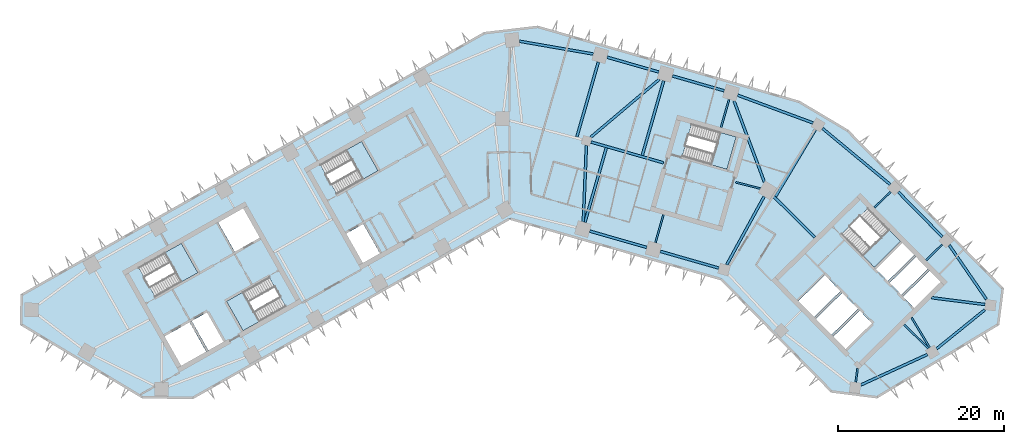
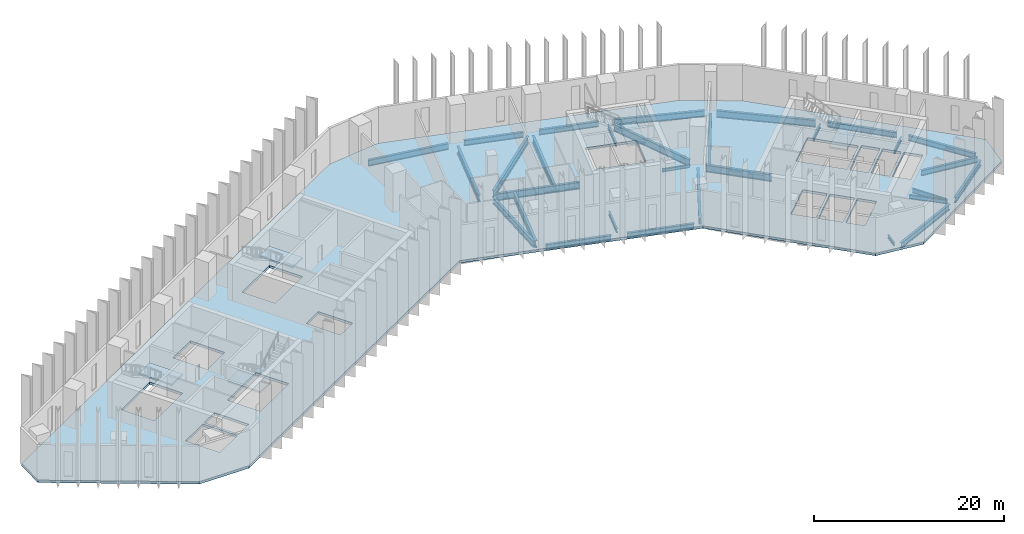
# One storey, part 2 of 11: 30 beams, 6 slabs, 5 elements without a shape of their own.
"""IFC4 building model written with IfcOpenShell, lengths in metres."""

import ifcopenshell
import ifcopenshell.guid

model = None  # the IFC model being written
_history = None  # IfcOwnerHistory: only IFC2X3 demands one
_inside = {}  # id of a spatial element -> (the spatial element, [elements in it])
_under = {}  # id of a project, library or spatial element -> (it, [spatial elements below it])
_declared = {}  # id of a project -> (the project, [libraries it declares])
_typed = {}  # id of a type object -> (the type object, [elements of that type])
_made_of = {}  # id of a material, layer set ... -> (it, [elements and type objects made of it])


def new_model(schema):
    """Start an empty IFC model of exactly this schema.

    Asked for "IFC4X3", IfcOpenShell would pick the latest addendum, in which some entities
    have other attributes; the version numbers below select the first issue.
    IFC2X3 requires an IfcOwnerHistory on every rooted entity: one is made here for all.
    """
    global model, _history
    if schema == "IFC4X3":
        model = ifcopenshell.file(schema_version=(4, 3, 0, 0))
    else:
        model = ifcopenshell.file(schema=schema)
    _inside.clear()
    _under.clear()
    _declared.clear()
    _typed.clear()
    _made_of.clear()
    _history = None
    if model.schema == "IFC2X3":
        org = make("IfcOrganization", Name="unknown")
        user = make(
            "IfcPersonAndOrganization",
            ThePerson=make("IfcPerson", FamilyName="unknown"),
            TheOrganization=org,
        )
        app = make(
            "IfcApplication",
            ApplicationDeveloper=org,
            Version="unknown",
            ApplicationFullName="unknown",
            ApplicationIdentifier="unknown",
        )
        _history = make(
            "IfcOwnerHistory",
            OwningUser=user,
            OwningApplication=app,
            ChangeAction="ADDED",
            CreationDate=0,
        )
    return model


def make(cls, **values):
    """One entity of the class cls with the attributes given. An attribute that is None is left unset."""
    return model.create_entity(
        cls, **{name: value for name, value in values.items() if value is not None}
    )


def rooted(cls, **values):
    """An entity with a GlobalId (a new one), such as an element, a storey or a relation."""
    return make(cls, GlobalId=ifcopenshell.guid.new(), OwnerHistory=_history, **values)


def si_unit(unit_type, name, prefix=None):
    """IfcSIUnit, for example si_unit("LENGTHUNIT", "METRE", prefix="MILLI")."""
    return make("IfcSIUnit", UnitType=unit_type, Prefix=prefix, Name=name)


def assignment(units):
    """IfcUnitAssignment: the units of a project."""
    return None if units is None else make("IfcUnitAssignment", Units=units)


def point(xyz):
    """IfcCartesianPoint."""
    return None if xyz is None else make("IfcCartesianPoint", Coordinates=xyz)


def direction(xyz):
    """IfcDirection."""
    return None if xyz is None else make("IfcDirection", DirectionRatios=xyz)


def frame(location, z_axis=None, x_axis=None):
    """IfcAxis2Placement3D, a coordinate frame: its origin and axes. An axis left out is left unset."""
    return make(
        "IfcAxis2Placement3D",
        Location=point(location),
        Axis=direction(z_axis),
        RefDirection=direction(x_axis),
    )


def frame_2d(location, x_axis=None):
    """IfcAxis2Placement2D, a coordinate frame in the plane: its origin and x axis."""
    return make(
        "IfcAxis2Placement2D", Location=point(location), RefDirection=direction(x_axis)
    )


def origin():
    """The frame at (0, 0, 0) with its axes left unset."""
    return frame((0.0, 0.0, 0.0))


def origin_2d():
    """The frame at (0, 0) in the plane with its x axis left unset."""
    return frame_2d((0.0, 0.0))


def place(relative_to, where):
    """IfcLocalPlacement: puts the frame where relative to a parent placement (None: the world)."""
    return make(
        "IfcLocalPlacement", PlacementRelTo=relative_to, RelativePlacement=where
    )


def context(
    kind, dimensions, precision=None, world=None, true_north=None, identifier=None
):
    """IfcGeometricRepresentationContext, for example the 3D "Model" context."""
    return make(
        "IfcGeometricRepresentationContext",
        ContextIdentifier=identifier,
        ContextType=kind,
        CoordinateSpaceDimension=dimensions,
        Precision=precision,
        WorldCoordinateSystem=world,
        TrueNorth=true_north,
    )


def subcontext(parent, identifier, kind, view, scale=None):
    """IfcGeometricRepresentationSubContext, for example "Body" below "Model"."""
    return make(
        "IfcGeometricRepresentationSubContext",
        ContextIdentifier=identifier,
        ContextType=kind,
        ParentContext=parent,
        TargetScale=scale,
        TargetView=view,
    )


def project(units=None, contexts=None):
    """IfcProject with its units and contexts."""
    return rooted(
        "IfcProject",
        Name="project",
        RepresentationContexts=contexts,
        UnitsInContext=assignment(units),
    )


def spatial(cls, under=None, at=None, **own):
    """A site, building, storey or space (cls), placed at a placement, below another one or the project."""
    s = rooted(cls, ObjectPlacement=at, **own)
    if under is not None:
        _under.setdefault(under.id(), (under, []))[1].append(s)
    return s


def polyline(points):
    """IfcPolyline through the points."""
    return make("IfcPolyline", Points=[point(p) for p in points])


def profile(cls, at=None, kind="AREA", **sizes):
    """A parametric profile (cls). Its sizes go by their IFC names, for example OverallWidth=200.0."""
    return make(cls, ProfileType=kind, Position=at, **sizes)


def i_section(**sizes):
    """IfcIShapeProfileDef."""
    return profile("IfcIShapeProfileDef", **sizes)


def outline(outer, holes=None, kind="AREA"):
    """IfcArbitraryClosedProfileDef: a profile drawn as a closed curve; with holes, ...WithVoids."""
    if holes is None:
        return make("IfcArbitraryClosedProfileDef", ProfileType=kind, OuterCurve=outer)
    return make(
        "IfcArbitraryProfileDefWithVoids",
        ProfileType=kind,
        OuterCurve=outer,
        InnerCurves=holes,
    )


def extrude(swept, where, along, depth):
    """IfcExtrudedAreaSolid: the profile swept, set in the frame where, extruded along a direction by depth."""
    return make(
        "IfcExtrudedAreaSolid",
        SweptArea=swept,
        Position=where,
        ExtrudedDirection=direction(along),
        Depth=depth,
    )


def shape(context_of_items, identifier, shape_type, items):
    """IfcShapeRepresentation: the items that make up one representation, for example the "Body"."""
    return make(
        "IfcShapeRepresentation",
        ContextOfItems=context_of_items,
        RepresentationIdentifier=identifier,
        RepresentationType=shape_type,
        Items=items,
    )


def material(Name=None, Category=None):
    """IfcMaterial."""
    return make("IfcMaterial", Name=Name, Category=Category)


def layer(
    of_material, thickness, ventilated=None, Name=None, Category=None, Priority=None
):
    """IfcMaterialLayer: one layer of a wall or slab, of a material (None: an air gap)."""
    return make(
        "IfcMaterialLayer",
        Material=of_material,
        LayerThickness=thickness,
        IsVentilated=ventilated,
        Name=Name,
        Category=Category,
        Priority=Priority,
    )


def layer_set(layers, Name=None):
    """IfcMaterialLayerSet."""
    return make("IfcMaterialLayerSet", MaterialLayers=layers, LayerSetName=Name)


def material_profile(
    of_material, cross_section, Name=None, Category=None, Priority=None
):
    """IfcMaterialProfile: a cross section and its material."""
    return make(
        "IfcMaterialProfile",
        Name=Name,
        Material=of_material,
        Profile=cross_section,
        Priority=Priority,
        Category=Category,
    )


def profile_set(profiles, Name=None, composite=None):
    """IfcMaterialProfileSet."""
    return make(
        "IfcMaterialProfileSet",
        Name=Name,
        MaterialProfiles=profiles,
        CompositeProfile=composite,
    )


def made_of(thing, what):
    """Note that an element or type object is made of a material, layer set ...; save() writes the relation."""
    if what is not None:
        _made_of.setdefault(what.id(), (what, []))[1].append(thing)
    return thing


def type_object(cls, material=None, **own):
    """A type object (cls), such as IfcWallType, which elements share."""
    return made_of(rooted(cls, **own), material)


def element(
    cls,
    number,
    at=None,
    inside=None,
    cuts=None,
    type_object=None,
    material=None,
    context=None,
    identifier="Body",
    shape_type=None,
    held_by="IfcProductDefinitionShape",
    body=None,
    shapes=None,
    **own,
):
    """One element of the class cls, such as IfcWall. Its Tag is "e" and its number.

    at: its placement. inside: the storey or other place that contains it. cuts: it is an
    opening in that element (IfcRelVoidsElement). A single representation is given by context,
    identifier, shape_type and body (its items); several are given by shapes. held_by: the class
    of the entity that holds the representations. save() writes the other relations.
    """
    e = rooted(cls, Tag="e%d" % number, ObjectPlacement=at, **own)
    if body is not None:
        shapes = [shape(context, identifier, shape_type, body)]
    if shapes is not None:
        e.Representation = make(held_by, Representations=shapes)
    if inside is not None:
        _inside.setdefault(inside.id(), (inside, []))[1].append(e)
    if cuts is not None:
        rooted(
            "IfcRelVoidsElement", RelatingBuildingElement=cuts, RelatedOpeningElement=e
        )
    if type_object is not None:
        _typed.setdefault(type_object.id(), (type_object, []))[1].append(e)
    return made_of(e, material)


def aggregate(whole, parts):
    """IfcRelAggregates: a whole, such as a stair, and the parts it consists of."""
    return rooted("IfcRelAggregates", RelatingObject=whole, RelatedObjects=parts)


def save(model, path):
    """Write the relations noted so far, then the file.

    IfcRelAggregates (storeys below a building ...), IfcRelContainedInSpatialStructure (elements
    in a storey), IfcRelDefinesByType, IfcRelAssociatesMaterial and IfcRelDeclares: one each for
    every whole, place, type object, material and project.
    """
    for whole, parts in _under.values():
        aggregate(whole, parts)
    for where, things in _inside.values():
        rooted(
            "IfcRelContainedInSpatialStructure",
            RelatedElements=things,
            RelatingStructure=where,
        )
    for kind, things in _typed.values():
        rooted("IfcRelDefinesByType", RelatedObjects=things, RelatingType=kind)
    for what, things in _made_of.values():
        rooted("IfcRelAssociatesMaterial", RelatedObjects=things, RelatingMaterial=what)
    for by, libraries in _declared.values():
        rooted("IfcRelDeclares", RelatingContext=by, RelatedDefinitions=libraries)
    model.write(path)


model = new_model("IFC4")

# Units and contexts
model_context = context("Model", 3, precision=1e-05, world=origin(), true_north=direction((0.0, 1.0)))
body_context = subcontext(model_context, "Body", "Model", "MODEL_VIEW")
ifc_project = project(units=[si_unit("LENGTHUNIT", "METRE"), si_unit("AREAUNIT", "SQUARE_METRE"), si_unit("VOLUMEUNIT", "CUBIC_METRE"), si_unit("PLANEANGLEUNIT", "RADIAN"), si_unit("MASSUNIT", "GRAM", prefix="KILO")], contexts=[model_context])

# Site, building, storey
site_placement = place(None, origin())
site = spatial("IfcSite", under=ifc_project, at=site_placement, CompositionType="ELEMENT")
building_placement = place(site_placement, origin())
building = spatial("IfcBuilding", under=site, at=building_placement, Name="Binnacle Exchange Tower", CompositionType="ELEMENT")
storey_placement = place(building_placement, frame((0.0, 0.0, 76.5)))
storey = spatial("IfcBuildingStorey", under=building, at=storey_placement, Name="L15", CompositionType="ELEMENT", Elevation=76.5)

# Beams
ifc_material_1 = material(Name="Steel S355 (SHN355)", Category="steel")
ifc_material_profile_1 = material_profile(ifc_material_1, i_section(OverallWidth=0.300048828125, OverallDepth=0.699951171875, WebThickness=0.012939453125, FlangeThickness=0.02392578125, FilletRadius=0.028076171875, at=origin_2d()), Name="H 700x300x13x24")
ifc_profile_set_1 = profile_set([ifc_material_profile_1], Name="Steel S355 (SHN355)")
beam_type_1 = type_object("IfcBeamType", Name="Edge girder H 700x300x13x24 Steel S355 (SHN355)", PredefinedType="SPANDREL", material=ifc_profile_set_1)
beam_1_placement = place(storey_placement, frame((9.626708984375, 46.488037109375, -0.669921875), z_axis=(0.961260850036, -0.275640305812, 0.0), x_axis=(0.275640305812, 0.961260850036, 0.0)))
element("IfcBeam", 1, at=beam_1_placement, inside=storey, type_object=beam_type_1, Name="S:BM:edge:L15:030", PredefinedType="SPANDREL", context=body_context, shape_type="SweptSolid", body=[
    extrude(i_section(OverallWidth=0.300048828125, OverallDepth=0.699951171875, WebThickness=0.012939453125, FlangeThickness=0.02392578125, FilletRadius=0.028076171875, at=origin_2d()), origin(), (0.0, 0.0, 1.0), 7.120361328125),
])
beam_2_placement = place(storey_placement, frame((17.92919921875, 65.610595703125, -0.669921875), z_axis=(-0.961261624999, 0.275637603213, 0.0), x_axis=(-0.275637603213, -0.961261624999, 0.0)))
element("IfcBeam", 2, at=beam_2_placement, inside=storey, type_object=beam_type_1, Name="S:BM:edge:L15:032", PredefinedType="SPANDREL", context=body_context, shape_type="SweptSolid", body=[
    extrude(i_section(OverallWidth=0.300048828125, OverallDepth=0.699951171875, WebThickness=0.012939453125, FlangeThickness=0.02392578125, FilletRadius=0.028076171875, at=origin_2d()), origin(), (0.0, 0.0, 1.0), 6.472900390625),
])
beam_3_placement = place(storey_placement, frame((18.105224609375, 44.056884765625, -0.669921875), z_axis=(0.96126047873, -0.275641600691, 0.0), x_axis=(0.275641600691, 0.96126047873, 0.0)))
element("IfcBeam", 3, at=beam_3_placement, inside=storey, type_object=beam_type_1, Name="S:BM:edge:L15:033", PredefinedType="SPANDREL", context=body_context, shape_type="SweptSolid", body=[
    extrude(i_section(OverallWidth=0.300048828125, OverallDepth=0.699951171875, WebThickness=0.012939453125, FlangeThickness=0.02392578125, FilletRadius=0.028076171875, at=origin_2d()), origin(), (0.0, 0.0, 1.0), 7.320556640625),
])
beam_4_placement = place(storey_placement, frame((25.78564453125, 63.35791015625, -0.669921875), z_axis=(-0.961271618025, 0.275602751036, 0.0), x_axis=(-0.275602751036, -0.961271618025, 0.0)))
element("IfcBeam", 4, at=beam_4_placement, inside=storey, type_object=beam_type_1, Name="S:BM:edge:L15:034", PredefinedType="SPANDREL", context=body_context, shape_type="SweptSolid", body=[
    extrude(i_section(OverallWidth=0.300048828125, OverallDepth=0.699951171875, WebThickness=0.012939453125, FlangeThickness=0.02392578125, FilletRadius=0.028076171875, at=origin_2d()), origin(), (0.0, 0.0, 1.0), 6.472900390625),
])
beam_5_placement = place(storey_placement, frame((51.322265625, 32.343505859375, -0.669921875), z_axis=(0.777568489665, 0.628798253719, 0.0), x_axis=(-0.628798253719, 0.777568489665, 0.0)))
element("IfcBeam", 5, at=beam_5_placement, inside=storey, type_object=beam_type_1, Name="S:BM:edge:L15:040", PredefinedType="SPANDREL", context=body_context, shape_type="SweptSolid", body=[
    extrude(i_section(OverallWidth=0.300048828125, OverallDepth=0.699951171875, WebThickness=0.012939453125, FlangeThickness=0.02392578125, FilletRadius=0.028076171875, at=origin_2d()), origin(), (0.0, 0.0, 1.0), 7.428955078125),
])
beam_6_placement = place(storey_placement, frame((52.010986328125, 45.802978515625, -0.669921875), z_axis=(-0.700905226564, 0.713254417004, 0.0), x_axis=(-0.713254417004, -0.700905226564, 0.0)))
element("IfcBeam", 6, at=beam_6_placement, inside=storey, type_object=beam_type_1, Name="S:BM:edge:L15:041", PredefinedType="SPANDREL", context=body_context, shape_type="SweptSolid", body=[
    extrude(i_section(OverallWidth=0.300048828125, OverallDepth=0.699951171875, WebThickness=0.012939453125, FlangeThickness=0.02392578125, FilletRadius=0.028076171875, at=origin_2d()), origin(), (0.0, 0.0, 1.0), 7.57177734375),
])
beam_7_placement = place(storey_placement, frame((57.305419921875, 38.299072265625, -0.669921875), z_axis=(-0.566409202341, 0.82412415054, 0.0), x_axis=(-0.82412415054, -0.566409202341, 0.0)))
element("IfcBeam", 7, at=beam_7_placement, inside=storey, type_object=beam_type_1, Name="S:BM:edge:L15:042", PredefinedType="SPANDREL", context=body_context, shape_type="SweptSolid", body=[
    extrude(i_section(OverallWidth=0.300048828125, OverallDepth=0.699951171875, WebThickness=0.012939453125, FlangeThickness=0.02392578125, FilletRadius=0.028076171875, at=origin_2d()), origin(), (0.0, 0.0, 1.0), 7.8828125),
])
ifc_material_profile_2 = material_profile(ifc_material_1, i_section(OverallWidth=0.302001953125, OverallDepth=0.7080078125, WebThickness=0.014892578125, FlangeThickness=0.028076171875, FilletRadius=0.028076171875, at=origin_2d()), Name="H 708x302x15x28")
ifc_profile_set_2 = profile_set([ifc_material_profile_2], Name="Steel S355 (SHN355)")
beam_type_2 = type_object("IfcBeamType", Name="Edge girder H 708x302x15x28 Steel S355 (SHN355)", PredefinedType="SPANDREL", material=ifc_profile_set_2)
beam_8_placement = place(storey_placement, frame((42.215576171875, 27.99365234375, -0.674072265625), z_axis=(0.909179052108, 0.416405392866, 0.0), x_axis=(-0.416405392866, 0.909179052108, 0.0)))
element("IfcBeam", 8, at=beam_8_placement, inside=storey, type_object=beam_type_2, Name="S:BM:edge:L15:038", PredefinedType="SPANDREL", context=body_context, shape_type="SweptSolid", body=[
    extrude(i_section(OverallWidth=0.302001953125, OverallDepth=0.7080078125, WebThickness=0.014892578125, FlangeThickness=0.028076171875, FilletRadius=0.028076171875, at=origin_2d()), origin(), (0.0, 0.0, 1.0), 8.801025390625),
])
ifc_material_profile_3 = material_profile(ifc_material_1, i_section(OverallWidth=0.300048828125, OverallDepth=0.800048828125, WebThickness=0.013916015625, FlangeThickness=0.02587890625, FilletRadius=0.028076171875, at=origin_2d()), Name="H 800x300x14x26")
ifc_profile_set_3 = profile_set([ifc_material_profile_3], Name="Steel S355 (SHN355)")
beam_type_3 = type_object("IfcBeamType", Name="Edge girder H 800x300x14x26 Steel S355 (SHN355)", PredefinedType="SPANDREL", material=ifc_profile_set_3)
beam_9_placement = place(storey_placement, frame((10.047607421875, 67.77490234375, -0.719970703125), z_axis=(-0.985312460293, 0.17076110679, 0.0), x_axis=(-0.17076110679, -0.985312460293, 0.0)))
element("IfcBeam", 9, at=beam_9_placement, inside=storey, type_object=beam_type_3, Name="S:BM:edge:L15:031", PredefinedType="SPANDREL", context=body_context, shape_type="SweptSolid", body=[
    extrude(i_section(OverallWidth=0.300048828125, OverallDepth=0.800048828125, WebThickness=0.013916015625, FlangeThickness=0.02587890625, FilletRadius=0.028076171875, at=origin_2d()), origin(), (0.0, 0.0, 1.0), 9.005859375),
])
ifc_material_profile_4 = material_profile(ifc_material_1, i_section(OverallWidth=0.302001953125, OverallDepth=0.80810546875, WebThickness=0.01611328125, FlangeThickness=0.030029296875, FilletRadius=0.028076171875, at=origin_2d()), Name="H 808x302x16x30")
ifc_profile_set_4 = profile_set([ifc_material_profile_4], Name="Steel S355 (SHN355)")
beam_type_4 = type_object("IfcBeamType", Name="Edge girder H 808x302x16x30 Steel S355 (SHN355)", PredefinedType="SPANDREL", material=ifc_profile_set_4)
beam_10_placement = place(storey_placement, frame((36.464599609375, 59.490966796875, -0.72412109375), z_axis=(-0.938368148393, 0.345637408395, 0.0), x_axis=(-0.345637408395, -0.938368148393, 0.0)))
element("IfcBeam", 10, at=beam_10_placement, inside=storey, type_object=beam_type_4, Name="S:BM:edge:L15:037", PredefinedType="SPANDREL", context=body_context, shape_type="SweptSolid", body=[
    extrude(i_section(OverallWidth=0.302001953125, OverallDepth=0.80810546875, WebThickness=0.01611328125, FlangeThickness=0.030029296875, FilletRadius=0.028076171875, at=origin_2d()), origin(), (0.0, 0.0, 1.0), 9.6572265625),
])
ifc_material_profile_5 = material_profile(ifc_material_1, i_section(OverallWidth=0.300048828125, OverallDepth=0.89990234375, WebThickness=0.01611328125, FlangeThickness=0.028076171875, FilletRadius=0.028076171875, at=origin_2d()), Name="H 900x300x16x28")
ifc_profile_set_5 = profile_set([ifc_material_profile_5], Name="Steel S355 (SHN355)")
beam_type_5 = type_object("IfcBeamType", Name="Edge girder H 900x300x16x28 Steel S355 (SHN355)", PredefinedType="SPANDREL", material=ifc_profile_set_5)
beam_11_placement = place(storey_placement, frame((45.7451171875, 52.084228515625, -0.77001953125), z_axis=(-0.769906025895, 0.638157277864, 0.0), x_axis=(-0.638157277864, -0.769906025895, 0.0)))
element("IfcBeam", 11, at=beam_11_placement, inside=storey, type_object=beam_type_5, Name="S:BM:edge:L15:039", PredefinedType="SPANDREL", context=body_context, shape_type="SweptSolid", body=[
    extrude(i_section(OverallWidth=0.300048828125, OverallDepth=0.89990234375, WebThickness=0.01611328125, FlangeThickness=0.028076171875, FilletRadius=0.028076171875, at=origin_2d()), origin(), (0.0, 0.0, 1.0), 10.59033203125),
])
ifc_material_profile_6 = material_profile(ifc_material_1, i_section(OverallWidth=0.199951171875, OverallDepth=0.39990234375, WebThickness=0.008056640625, FlangeThickness=0.012939453125, FilletRadius=0.01611328125, at=origin_2d()), Name="H 400x200x8x13")
ifc_profile_set_6 = profile_set([ifc_material_profile_6], Name="Steel S355 (SHN355)")
beam_type_6 = type_object("IfcBeamType", Name="Floor beam H 400x200x8x13 Steel S355 (SHN355)", PredefinedType="BEAM", material=ifc_profile_set_6)
beam_12_placement = place(storey_placement, frame((41.601806640625, 28.319580078125, -0.52001953125), z_axis=(0.126197116971, 0.992005185303, 0.0), x_axis=(-0.992005185303, 0.126197116971, 0.0)))
element("IfcBeam", 12, at=beam_12_placement, inside=storey, type_object=beam_type_6, Name="S:BM:cross:L15:063", PredefinedType="BEAM", context=body_context, shape_type="SweptSolid", body=[
    extrude(i_section(OverallWidth=0.199951171875, OverallDepth=0.39990234375, WebThickness=0.008056640625, FlangeThickness=0.012939453125, FilletRadius=0.01611328125, at=origin_2d()), origin(), (0.0, 0.0, 1.0), 1.68115234375),
])
ifc_material_profile_7 = material_profile(ifc_material_1, i_section(OverallWidth=0.199951171875, OverallDepth=0.449951171875, WebThickness=0.009033203125, FlangeThickness=0.013916015625, FilletRadius=0.01806640625, at=origin_2d()), Name="H 450x200x9x14")
ifc_profile_set_7 = profile_set([ifc_material_profile_7], Name="Steel S355 (SHN355)")
beam_type_7 = type_object("IfcBeamType", Name="Floor beam H 450x200x9x14 Steel S355 (SHN355)", PredefinedType="BEAM", material=ifc_profile_set_7)
for number, where, z_axis, x_axis, name in (
    (13, (45.78466796875, 51.211669921875, -0.544921875), (-0.713299272232, -0.700859578113, 0.0), (0.700859578113, -0.713299272232, 0.0), "S:BM:cross:L15:064"),
    (14, (52.003173828125, 44.8837890625, -0.544921875), (-0.713254209224, -0.700905438004, 0.0), (0.700905438004, -0.713254209224, 0.0), "S:BM:cross:L15:066"),
):
    element("IfcBeam", number, at=place(storey_placement, frame(where, z_axis=z_axis, x_axis=x_axis)), inside=storey, type_object=beam_type_7, Name=name, PredefinedType="BEAM", context=body_context, shape_type="SweptSolid", body=[
        extrude(i_section(OverallWidth=0.199951171875, OverallDepth=0.449951171875, WebThickness=0.009033203125, FlangeThickness=0.013916015625, FilletRadius=0.01806640625, at=origin_2d()), origin(), (0.0, 0.0, 1.0), 2.70849609375),
    ])
ifc_material_profile_8 = material_profile(ifc_material_1, i_section(OverallWidth=0.200927734375, OverallDepth=0.506103515625, WebThickness=0.010986328125, FlangeThickness=0.01904296875, FilletRadius=0.02001953125, at=origin_2d()), Name="H 506x201x11x19")
ifc_profile_set_8 = profile_set([ifc_material_profile_8], Name="Steel S355 (SHN355)")
beam_type_8 = type_object("IfcBeamType", Name="Floor beam H 506x201x11x19 Steel S355 (SHN355)", PredefinedType="BEAM", material=ifc_profile_set_8)
for number, where, z_axis, x_axis, name in (
    (15, (17.5224609375, 45.108154296875, -0.572998046875), (0.275655468279, 0.961256502089, 0.0), (-0.961256502089, 0.275655468279, 0.0), "S:BM:cross:L15:058"),
    (16, (26.368408203125, 62.306396484375, -0.572998046875), (-0.275655468279, -0.961256502089, 0.0), (0.961256502089, -0.275655468279, 0.0), "S:BM:cross:L15:060"),
):
    element("IfcBeam", number, at=place(storey_placement, frame(where, z_axis=z_axis, x_axis=x_axis)), inside=storey, type_object=beam_type_8, Name=name, PredefinedType="BEAM", context=body_context, shape_type="SweptSolid", body=[
        extrude(i_section(OverallWidth=0.200927734375, OverallDepth=0.506103515625, WebThickness=0.010986328125, FlangeThickness=0.01904296875, FilletRadius=0.02001953125, at=origin_2d()), origin(), (0.0, 0.0, 1.0), 3.485107421875),
    ])
ifc_material_profile_9 = material_profile(ifc_material_1, i_section(OverallWidth=0.199951171875, OverallDepth=0.60009765625, WebThickness=0.010986328125, FlangeThickness=0.01708984375, FilletRadius=0.02197265625, at=origin_2d()), Name="H 600x200x11x17")
ifc_profile_set_9 = profile_set([ifc_material_profile_9], Name="Steel S355 (SHN355)")
beam_type_9 = type_object("IfcBeamType", Name="Floor beam H 600x200x11x17 Steel S355 (SHN355)", PredefinedType="BEAM", material=ifc_profile_set_9)
beam_13_placement = place(storey_placement, frame((50.477294921875, 32.488037109375, -0.6201171875), z_axis=(-0.515057466438, 0.857155648798, 0.0), x_axis=(-0.857155648798, -0.515057466438, 0.0)))
element("IfcBeam", 17, at=beam_13_placement, inside=storey, type_object=beam_type_9, Name="S:BM:cross:L15:065", PredefinedType="BEAM", context=body_context, shape_type="SweptSolid", body=[
    extrude(i_section(OverallWidth=0.199951171875, OverallDepth=0.60009765625, WebThickness=0.010986328125, FlangeThickness=0.01708984375, FilletRadius=0.02197265625, at=origin_2d()), origin(), (0.0, 0.0, 1.0), 4.2177734375),
])
ifc_material_profile_10 = material_profile(ifc_material_1, i_section(OverallWidth=0.300048828125, OverallDepth=0.699951171875, WebThickness=0.012939453125, FlangeThickness=0.02392578125, FilletRadius=0.028076171875, at=origin_2d()), Name="H 700x300x13x24")
ifc_profile_set_10 = profile_set([ifc_material_profile_10], Name="Steel S355 (SHN355)")
beam_type_10 = type_object("IfcBeamType", Name="Floor beam H 700x300x13x24 Steel S355 (SHN355)", PredefinedType="BEAM", material=ifc_profile_set_10)
beam_14_placement = place(storey_placement, frame((57.154296875, 37.6630859375, -0.669921875), z_axis=(-0.992006658356, 0.126185537116, 0.0), x_axis=(-0.126185537116, -0.992006658356, 0.0)))
element("IfcBeam", 18, at=beam_14_placement, inside=storey, type_object=beam_type_10, Name="S:BM:cross:L15:067", PredefinedType="BEAM", context=body_context, shape_type="SweptSolid", body=[
    extrude(i_section(OverallWidth=0.300048828125, OverallDepth=0.699951171875, WebThickness=0.012939453125, FlangeThickness=0.02392578125, FilletRadius=0.028076171875, at=origin_2d()), origin(), (0.0, 0.0, 1.0), 6.4814453125),
])
ifc_material_profile_11 = material_profile(ifc_material_1, i_section(OverallWidth=0.302978515625, OverallDepth=0.91796875, WebThickness=0.01904296875, FlangeThickness=0.037109375, FilletRadius=0.028076171875, at=origin_2d()), Name="H 918x303x19x37")
ifc_profile_set_11 = profile_set([ifc_material_profile_11], Name="Steel S355 (SHN355)")
beam_type_11 = type_object("IfcBeamType", Name="Floor beam H 918x303x19x37 Steel S355 (SHN355)", PredefinedType="BEAM", material=ifc_profile_set_11)
beam_15_placement = place(storey_placement, frame((9.043701171875, 47.539306640625, -0.779052734375), z_axis=(0.275646698205, 0.961259017003, 0.0), x_axis=(-0.961259017003, 0.275646698205, 0.0)))
element("IfcBeam", 19, at=beam_15_placement, inside=storey, type_object=beam_type_11, Name="S:BM:cross:L15:056", PredefinedType="BEAM", context=body_context, shape_type="SweptSolid", body=[
    extrude(i_section(OverallWidth=0.302978515625, OverallDepth=0.91796875, WebThickness=0.01904296875, FlangeThickness=0.037109375, FilletRadius=0.028076171875, at=origin_2d()), origin(), (0.0, 0.0, 1.0), 9.335205078125),
])
beam_16_placement = place(storey_placement, frame((10.65576171875, 66.81201171875, -0.779052734375), z_axis=(-0.275626703457, -0.961264750389, 0.0), x_axis=(0.961264750389, -0.275626703457, 0.0)))
element("IfcBeam", 20, at=beam_16_placement, inside=storey, type_object=beam_type_11, Name="S:BM:cross:L15:057", PredefinedType="BEAM", context=body_context, shape_type="SweptSolid", body=[
    extrude(i_section(OverallWidth=0.302978515625, OverallDepth=0.91796875, WebThickness=0.01904296875, FlangeThickness=0.037109375, FilletRadius=0.028076171875, at=origin_2d()), origin(), (0.0, 0.0, 1.0), 9.363525390625),
])
beam_17_placement = place(storey_placement, frame((18.511962890625, 64.55908203125, -0.779052734375), z_axis=(-0.275629461812, -0.961263959473, 0.0), x_axis=(0.961263959473, -0.275629461812, 0.0)))
element("IfcBeam", 21, at=beam_17_placement, inside=storey, type_object=beam_type_11, Name="S:BM:cross:L15:059", PredefinedType="BEAM", context=body_context, shape_type="SweptSolid", body=[
    extrude(i_section(OverallWidth=0.302978515625, OverallDepth=0.91796875, WebThickness=0.01904296875, FlangeThickness=0.037109375, FilletRadius=0.028076171875, at=origin_2d()), origin(), (0.0, 0.0, 1.0), 9.3349609375),
])
beam_18_placement = place(storey_placement, frame((36.752685546875, 58.703857421875, -0.779052734375), z_axis=(-0.511298188751, -0.859403375709, 0.0), x_axis=(0.859403375709, -0.511298188751, 0.0)))
element("IfcBeam", 22, at=beam_18_placement, inside=storey, type_object=beam_type_11, Name="S:BM:cross:L15:062", PredefinedType="BEAM", context=body_context, shape_type="SweptSolid", body=[
    extrude(i_section(OverallWidth=0.302978515625, OverallDepth=0.91796875, WebThickness=0.01904296875, FlangeThickness=0.037109375, FilletRadius=0.028076171875, at=origin_2d()), origin(), (0.0, 0.0, 1.0), 9.385986328125),
])
ifc_material_profile_12 = material_profile(ifc_material_1, i_section(OverallWidth=0.199951171875, OverallDepth=0.39990234375, WebThickness=0.008056640625, FlangeThickness=0.012939453125, FilletRadius=0.01611328125, at=origin_2d()), Name="H 400x200x8x13")
ifc_profile_set_12 = profile_set([ifc_material_profile_12], Name="Steel S355 (SHN355)")
beam_type_12 = type_object("IfcBeamType", Name="Spine girder H 400x200x8x13 Steel S355 (SHN355)", PredefinedType="BEAM", material=ifc_profile_set_12)
beam_19_placement = place(storey_placement, frame((27.17138671875, 52.35400390625, -0.52001953125), z_axis=(0.969359627701, -0.245645908136, 0.0), x_axis=(0.245645908136, 0.969359627701, 0.0)))
element("IfcBeam", 23, at=beam_19_placement, inside=storey, type_object=beam_type_12, Name="S:BM:spine:L15:010", PredefinedType="BEAM", context=body_context, shape_type="SweptSolid", body=[
    extrude(i_section(OverallWidth=0.199951171875, OverallDepth=0.39990234375, WebThickness=0.008056640625, FlangeThickness=0.012939453125, FilletRadius=0.01611328125, at=origin_2d()), origin(), (0.0, 0.0, 1.0), 3.046142578125),
])
ifc_material_profile_13 = material_profile(ifc_material_1, i_section(OverallWidth=0.200927734375, OverallDepth=0.506103515625, WebThickness=0.010986328125, FlangeThickness=0.01904296875, FilletRadius=0.02001953125, at=origin_2d()), Name="H 506x201x11x19")
ifc_profile_set_13 = profile_set([ifc_material_profile_13], Name="Steel S355 (SHN355)")
beam_type_13 = type_object("IfcBeamType", Name="Spine girder H 506x201x11x19 Steel S355 (SHN355)", PredefinedType="BEAM", material=ifc_profile_set_13)
beam_20_placement = place(storey_placement, frame((47.417236328125, 35.23095703125, -0.572998046875), z_axis=(0.717013275689, -0.697059511437, 0.0), x_axis=(0.697059511437, 0.717013275689, 0.0)))
element("IfcBeam", 24, at=beam_20_placement, inside=storey, type_object=beam_type_13, Name="S:BM:spine:L15:014", PredefinedType="BEAM", context=body_context, shape_type="SweptSolid", body=[
    extrude(i_section(OverallWidth=0.200927734375, OverallDepth=0.506103515625, WebThickness=0.010986328125, FlangeThickness=0.01904296875, FilletRadius=0.02001953125, at=origin_2d()), origin(), (0.0, 0.0, 1.0), 4.06201171875),
])
ifc_material_profile_14 = material_profile(ifc_material_1, i_section(OverallWidth=0.302001953125, OverallDepth=0.80810546875, WebThickness=0.01611328125, FlangeThickness=0.030029296875, FilletRadius=0.028076171875, at=origin_2d()), Name="H 808x302x16x30")
ifc_profile_set_14 = profile_set([ifc_material_profile_14], Name="Steel S355 (SHN355)")
beam_type_14 = type_object("IfcBeamType", Name="Spine girder H 808x302x16x30 Steel S355 (SHN355)", PredefinedType="BEAM", material=ifc_profile_set_14)
beam_21_placement = place(storey_placement, frame((9.218017578125, 56.78466796875, -0.72412109375), z_axis=(-0.040567083206, -0.999176817065, 0.0), x_axis=(0.999176817065, -0.040567083206, 0.0)))
element("IfcBeam", 25, at=beam_21_placement, inside=storey, type_object=beam_type_14, Name="S:BM:spine:L15:007", PredefinedType="BEAM", context=body_context, shape_type="SweptSolid", body=[
    extrude(i_section(OverallWidth=0.302001953125, OverallDepth=0.80810546875, WebThickness=0.01611328125, FlangeThickness=0.030029296875, FilletRadius=0.028076171875, at=origin_2d()), origin(), (0.0, 0.0, 1.0), 9.19580078125),
])
beam_22_placement = place(storey_placement, frame((30.580078125, 50.6396484375, -0.72412109375), z_axis=(-0.480716000085, -0.87687634662, 0.0), x_axis=(0.87687634662, -0.480716000085, 0.0)))
element("IfcBeam", 26, at=beam_22_placement, inside=storey, type_object=beam_type_14, Name="S:BM:spine:L15:011", PredefinedType="BEAM", context=body_context, shape_type="SweptSolid", body=[
    extrude(i_section(OverallWidth=0.302001953125, OverallDepth=0.80810546875, WebThickness=0.01611328125, FlangeThickness=0.030029296875, FilletRadius=0.028076171875, at=origin_2d()), origin(), (0.0, 0.0, 1.0), 9.34619140625),
])
ifc_material_profile_15 = material_profile(ifc_material_1, i_section(OverallWidth=0.302001953125, OverallDepth=0.912109375, WebThickness=0.01806640625, FlangeThickness=0.033935546875, FilletRadius=0.028076171875, at=origin_2d()), Name="H 912x302x18x34")
ifc_profile_set_15 = profile_set([ifc_material_profile_15], Name="Steel S355 (SHN355)")
beam_type_15 = type_object("IfcBeamType", Name="Spine girder H 912x302x18x34 Steel S355 (SHN355)", PredefinedType="BEAM", material=ifc_profile_set_15)
beam_23_placement = place(storey_placement, frame((9.74658203125, 57.77734375, -0.77587890625), z_axis=(0.764072930463, 0.64512987602, 0.0), x_axis=(-0.64512987602, 0.764072930463, 0.0)))
element("IfcBeam", 27, at=beam_23_placement, inside=storey, type_object=beam_type_15, Name="S:BM:spine:L15:008", PredefinedType="BEAM", context=body_context, shape_type="SweptSolid", body=[
    extrude(i_section(OverallWidth=0.302001953125, OverallDepth=0.912109375, WebThickness=0.01806640625, FlangeThickness=0.033935546875, FilletRadius=0.028076171875, at=origin_2d()), origin(), (0.0, 0.0, 1.0), 10.755615234375),
])
beam_24_placement = place(storey_placement, frame((30.614501953125, 52.389892578125, -0.77587890625), z_axis=(-0.350104624168, 0.936710602126, 0.0), x_axis=(-0.936710602126, -0.350104624168, 0.0)))
element("IfcBeam", 28, at=beam_24_placement, inside=storey, type_object=beam_type_15, Name="S:BM:spine:L15:012", PredefinedType="BEAM", context=body_context, shape_type="SweptSolid", body=[
    extrude(i_section(OverallWidth=0.302001953125, OverallDepth=0.912109375, WebThickness=0.01806640625, FlangeThickness=0.033935546875, FilletRadius=0.028076171875, at=origin_2d()), origin(), (0.0, 0.0, 1.0), 10.4013671875),
])
ifc_material_profile_16 = material_profile(ifc_material_1, i_section(OverallWidth=0.302978515625, OverallDepth=0.91796875, WebThickness=0.01904296875, FlangeThickness=0.037109375, FilletRadius=0.028076171875, at=origin_2d()), Name="H 918x303x19x37")
ifc_profile_set_16 = profile_set([ifc_material_profile_16], Name="Steel S355 (SHN355)")
beam_type_16 = type_object("IfcBeamType", Name="Spine girder H 918x303x19x37 Steel S355 (SHN355)", PredefinedType="BEAM", material=ifc_profile_set_16)
beam_25_placement = place(storey_placement, frame((9.76953125, 57.198486328125, -0.779052734375), z_axis=(0.961265329417, -0.275624684057, 0.0), x_axis=(0.275624684057, 0.961265329417, 0.0)))
element("IfcBeam", 29, at=beam_25_placement, inside=storey, type_object=beam_type_16, Name="S:BM:spine:L15:009", PredefinedType="BEAM", context=body_context, shape_type="SweptSolid", body=[
    extrude(i_section(OverallWidth=0.302978515625, OverallDepth=0.91796875, WebThickness=0.01904296875, FlangeThickness=0.037109375, FilletRadius=0.028076171875, at=origin_2d()), origin(), (0.0, 0.0, 1.0), 9.063232421875),
])
beam_26_placement = place(storey_placement, frame((31.60888671875, 50.773681640625, -0.779052734375), z_axis=(0.711013452478, -0.703178405809, 0.0), x_axis=(0.703178405809, 0.711013452478, 0.0)))
element("IfcBeam", 30, at=beam_26_placement, inside=storey, type_object=beam_type_16, Name="S:BM:spine:L15:013", PredefinedType="BEAM", context=body_context, shape_type="SweptSolid", body=[
    extrude(i_section(OverallWidth=0.302978515625, OverallDepth=0.91796875, WebThickness=0.01904296875, FlangeThickness=0.037109375, FilletRadius=0.028076171875, at=origin_2d()), origin(), (0.0, 0.0, 1.0), 7.166748046875),
])

# Slab
ifc_material_2 = material(Name="Concrete C35/45", Category="concrete")
ifc_layer_1 = layer(ifc_material_2, 0.320068359375)
ifc_layer_set_1 = layer_set([ifc_layer_1], Name="Floor slab 320 Concrete C35/45")
slab_type_1 = type_object("IfcSlabType", Name="Floor slab 320 Concrete C35/45", PredefinedType="FLOOR", material=ifc_layer_set_1)
slab_1_placement = place(storey_placement, frame((0.0, 0.0, -0.320068359375)))
element("IfcSlab", 31, at=slab_1_placement, inside=storey, type_object=slab_type_1, Name="S:SL:L15:01", PredefinedType="FLOOR", context=body_context, shape_type="SweptSolid", body=[
    extrude(outline(polyline([(59.262939453125, 39.5791015625), (58.716064453125, 35.280029296875), (44.14404296875, 26.5244140625), (38.69091796875, 27.21826171875), (25.43603515625, 40.706298828125), (0.0, 48.0), (-38.097900390625, 26.4453125), (-44.14404296875, 26.5244140625), (-58.716064453125, 35.280029296875), (-58.669921875, 38.80615234375), (-3.046142578125, 70.276611328125), (3.364501953125, 71.035400390625), (34.789794921875, 62.024169921875), (40.607421875, 58.56298828125), (59.262939453125, 39.5791015625)]), holes=[polyline([(-38.4794921875, 35.529296875), (-41.61279296875, 33.756591796875), (-39.544677734375, 30.10107421875), (-36.411376953125, 31.873779296875), (-38.4794921875, 35.529296875)]), polyline([(-34.322509765625, 33.0556640625), (-36.390625, 36.711181640625), (-38.21826171875, 35.677001953125), (-36.150146484375, 32.021484375), (-34.322509765625, 33.0556640625)]), polyline([(-34.040771484375, 38.04052734375), (-32.04638671875, 34.515625), (-26.9287109375, 37.4111328125), (-28.923095703125, 40.93603515625), (-34.040771484375, 38.04052734375)]), polyline([(-37.486572265625, 41.4912109375), (-39.480712890625, 45.01611328125), (-44.598388671875, 42.12060546875), (-42.604248046875, 38.595703125), (-37.486572265625, 41.4912109375)]), polyline([(-15.53076171875, 43.6875), (-17.598876953125, 47.343017578125), (-19.77490234375, 46.11181640625), (-17.70654296875, 42.456298828125), (-15.53076171875, 43.6875)]), polyline([(-29.914306640625, 45.775390625), (-31.982666015625, 49.430908203125), (-35.115966796875, 47.657958984375), (-33.047607421875, 44.00244140625), (-29.914306640625, 45.775390625)]), polyline([(-15.822509765625, 53.748046875), (-17.81689453125, 57.27294921875), (-22.760498046875, 54.47607421875), (-20.76611328125, 50.950927734375), (-15.822509765625, 53.748046875)]), polyline([(26.111328125, 53.9169921875), (27.227783203125, 57.810302734375), (21.864013671875, 59.348388671875), (20.74755859375, 55.455078125), (26.111328125, 53.9169921875)]), polyline([(40.268798828125, 32.201904296875), (43.549560546875, 35.426025390625), (42.07763671875, 36.923828125), (38.796875, 33.69970703125), (40.268798828125, 32.201904296875)]), polyline([(38.58642578125, 33.913818359375), (41.867431640625, 37.137939453125), (39.97509765625, 39.063720703125), (36.694091796875, 35.83935546875), (38.58642578125, 33.913818359375)]), polyline([(36.48388671875, 36.053466796875), (39.7646484375, 39.277587890625), (37.872314453125, 41.203369140625), (34.59130859375, 37.979248046875), (36.48388671875, 36.053466796875)]), polyline([(48.726806640625, 37.148681640625), (52.0078125, 40.372802734375), (50.577880859375, 41.827880859375), (47.296875, 38.603759765625), (48.726806640625, 37.148681640625)]), polyline([(47.086669921875, 38.817626953125), (50.36767578125, 42.0419921875), (48.944580078125, 43.48974609375), (45.663818359375, 40.265625), (47.086669921875, 38.817626953125)]), polyline([(45.45361328125, 40.4794921875), (48.734375, 43.703857421875), (47.3115234375, 45.151611328125), (44.030517578125, 41.927490234375), (45.45361328125, 40.4794921875)]), polyline([(43.8203125, 42.141357421875), (46.994384765625, 45.260498046875), (43.083251953125, 49.240478515625), (39.9091796875, 46.121337890625), (43.8203125, 42.141357421875)])]), origin(), (0.0, 0.0, 1.0), 0.320068359375),
])

# Stair, slab
stair_type = type_object("IfcStairType", Name="STAIR 28 RISERS 179", PredefinedType="HALF_TURN_STAIR", material=ifc_material_2)
stair_1_placement = place(storey_placement, origin())
stair_1 = element("IfcStair", 32, at=stair_1_placement, inside=storey, type_object=stair_type, Name="L15 Escape stair A1", PredefinedType="HALF_TURN_STAIR")
ifc_layer_2 = layer(ifc_material_2, 0.199951171875)
ifc_layer_set_2 = layer_set([ifc_layer_2], Name="STAIR LANDING 200")
slab_type_2 = type_object("IfcSlabType", Name="STAIR LANDING 200", PredefinedType="LANDING", material=ifc_layer_set_2)
slab_2_placement = place(storey_placement, frame((0.0, 0.0, 2.300048828125)))
slab_2 = element("IfcSlab", 33, at=slab_2_placement, type_object=slab_type_2, Name="STA1 landing 1", PredefinedType="LANDING", context=body_context, shape_type="SweptSolid", body=[
    extrude(outline(polyline([(-39.470947265625, 40.368408203125), (-37.486572265625, 41.4912109375), (-39.48095703125, 45.01611328125), (-41.46533203125, 43.893310546875), (-39.470947265625, 40.368408203125)])), origin(), (0.0, 0.0, 1.0), 0.199951171875),
])
aggregate(stair_1, [slab_2])

stair_2_placement = place(storey_placement, origin())
stair_2 = element("IfcStair", 34, at=stair_2_placement, inside=storey, type_object=stair_type, Name="L15 Escape stair A2", PredefinedType="HALF_TURN_STAIR")
slab_3_placement = place(storey_placement, frame((0.0, 0.0, 2.300048828125)))
slab_3 = element("IfcSlab", 35, at=slab_3_placement, type_object=slab_type_2, Name="STA2 landing 1", PredefinedType="LANDING", context=body_context, shape_type="SweptSolid", body=[
    extrude(outline(polyline([(-32.05615234375, 39.163330078125), (-34.040771484375, 38.04052734375), (-32.04638671875, 34.515625), (-30.06201171875, 35.638427734375), (-32.05615234375, 39.163330078125)])), origin(), (0.0, 0.0, 1.0), 0.199951171875),
])
aggregate(stair_2, [slab_3])

stair_3_placement = place(storey_placement, origin())
stair_3 = element("IfcStair", 36, at=stair_3_placement, inside=storey, type_object=stair_type, Name="L15 Escape stair B1", PredefinedType="HALF_TURN_STAIR")
slab_4_placement = place(storey_placement, frame((0.0, 0.0, 2.300048828125)))
slab_4 = element("IfcSlab", 37, at=slab_4_placement, type_object=slab_type_2, Name="STB1 landing 1", PredefinedType="LANDING", context=body_context, shape_type="SweptSolid", body=[
    extrude(outline(polyline([(42.4326171875, 43.5537109375), (43.8203125, 42.141357421875), (46.994384765625, 45.260498046875), (45.606689453125, 46.672607421875), (42.4326171875, 43.5537109375)])), origin(), (0.0, 0.0, 1.0), 0.199951171875),
])
aggregate(stair_3, [slab_4])

stair_4_placement = place(storey_placement, origin())
stair_4 = element("IfcStair", 38, at=stair_4_placement, inside=storey, type_object=stair_type, Name="L15 Escape stair C1", PredefinedType="HALF_TURN_STAIR")
slab_5_placement = place(storey_placement, frame((0.0, 0.0, 2.300048828125)))
slab_5 = element("IfcSlab", 39, at=slab_5_placement, type_object=slab_type_2, Name="STC1 landing 1", PredefinedType="LANDING", context=body_context, shape_type="SweptSolid", body=[
    extrude(outline(polyline([(-17.6328125, 52.7236328125), (-15.822509765625, 53.748046875), (-17.81689453125, 57.27294921875), (-19.627197265625, 56.248779296875), (-17.6328125, 52.7236328125)])), origin(), (0.0, 0.0, 1.0), 0.199951171875),
])
aggregate(stair_4, [slab_5])

stair_5_placement = place(storey_placement, origin())
stair_5 = element("IfcStair", 40, at=stair_5_placement, inside=storey, type_object=stair_type, Name="L15 Escape stair D1", PredefinedType="HALF_TURN_STAIR")
slab_6_placement = place(storey_placement, frame((0.0, 0.0, 2.300048828125)))
slab_6 = element("IfcSlab", 41, at=slab_6_placement, type_object=slab_type_2, Name="STD1 landing 1", PredefinedType="LANDING", context=body_context, shape_type="SweptSolid", body=[
    extrude(outline(polyline([(24.2080078125, 54.462890625), (26.111328125, 53.917236328125), (27.227783203125, 57.810302734375), (25.324462890625, 58.35595703125), (24.2080078125, 54.462890625)])), origin(), (0.0, 0.0, 1.0), 0.199951171875),
])
aggregate(stair_5, [slab_6])

save(model, "model.ifc")
